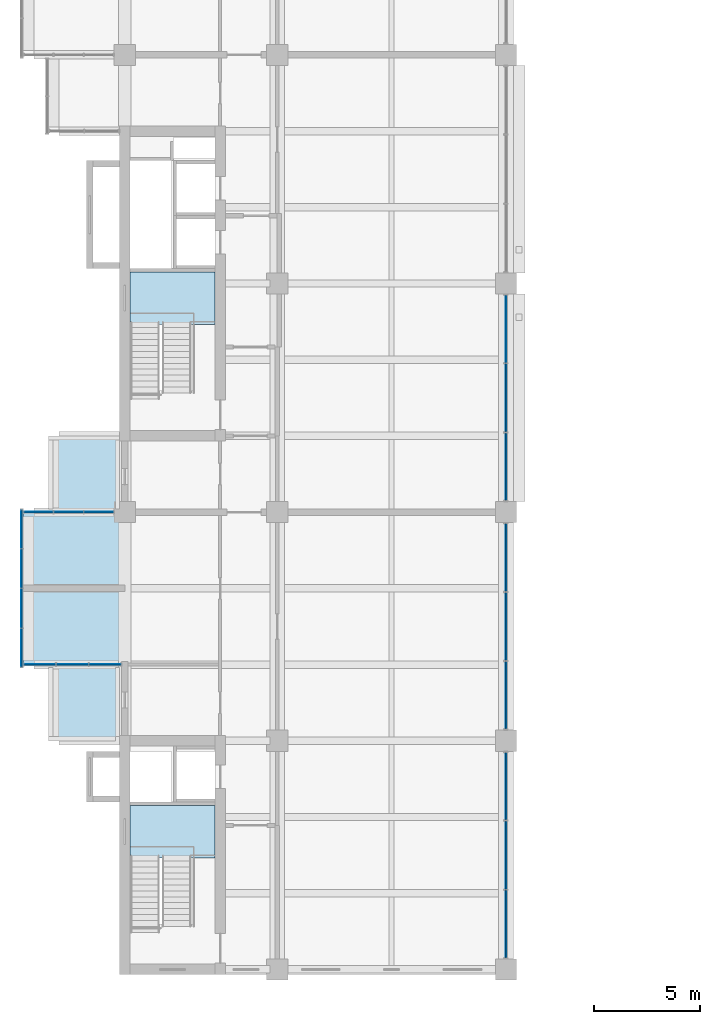
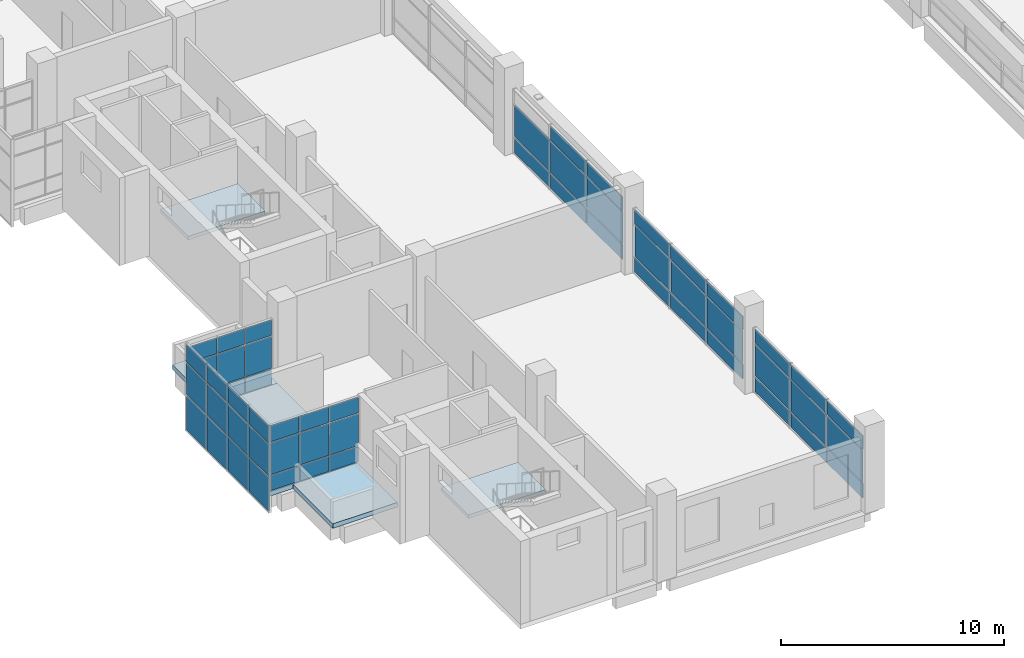
# One storey, part 29 of 44: 56 plates, 5 slabs, 8 elements without a shape of their own.
"""IFC4 building model written with IfcOpenShell, lengths in metres."""

from ifc_helpers import new_model, si_unit, direction, frame, origin, origin_2d, place, context, subcontext, project, spatial, polyline, rectangle, outline, extrude, material, layer, layer_set, type_object, element, aggregate, save


model = new_model("IFC4")

# Units and contexts
model_context = context("Model", 3, precision=1e-05, world=origin(), true_north=direction((0.0, 1.0)))
body_context = subcontext(model_context, "Body", "Model", "MODEL_VIEW")
ifc_project = project(units=[si_unit("LENGTHUNIT", "METRE"), si_unit("AREAUNIT", "SQUARE_METRE"), si_unit("VOLUMEUNIT", "CUBIC_METRE"), si_unit("PLANEANGLEUNIT", "RADIAN"), si_unit("MASSUNIT", "GRAM", prefix="KILO")], contexts=[model_context])

# Site, building, storey
site_placement = place(None, origin())
site = spatial("IfcSite", under=ifc_project, at=site_placement, CompositionType="ELEMENT")
building_placement = place(site_placement, origin())
building = spatial("IfcBuilding", under=site, at=building_placement, Name="Basin Gate Institute", CompositionType="ELEMENT")
storey_placement = place(building_placement, frame((0.0, 0.0, 27.0)))
storey = spatial("IfcBuildingStorey", under=building, at=storey_placement, Name="L05", CompositionType="ELEMENT", Elevation=27.0)

# Slabs
ifc_material_1 = material(Name="Concrete 40 MPa", Category="concrete")
ifc_layer_1 = layer(ifc_material_1, 0.25)
ifc_layer_set_1 = layer_set([ifc_layer_1], Name="Concrete 40 MPa")
slab_type_1 = type_object("IfcSlabType", Name="Slab RS4 R120", PredefinedType="ROOF", material=ifc_layer_set_1)
slab_1_placement = place(storey_placement, frame((0.0, 0.0, -0.25)))
element("IfcSlab", 1, at=slab_1_placement, inside=storey, type_object=slab_type_1, material=ifc_layer_set_1, Name="SLAB/L05/WK11", PredefinedType="ROOF", context=body_context, shape_type="SweptSolid", body=[
    extrude(outline(polyline([(57.60009765625, 45.89990234375), (60.949951171875, 45.89990234375), (60.949951171875, 49.5), (57.60009765625, 49.5), (57.60009765625, 45.89990234375)])), origin(), (0.0, 0.0, 1.0), 0.25),
])
slab_2_placement = place(storey_placement, frame((0.0, 0.0, -0.25)))
element("IfcSlab", 2, at=slab_2_placement, inside=storey, type_object=slab_type_1, material=ifc_layer_set_1, Name="SLAB/L05/WK14", PredefinedType="ROOF", context=body_context, shape_type="SweptSolid", body=[
    extrude(outline(polyline([(57.60009765625, 56.699951171875), (60.949951171875, 56.699951171875), (60.949951171875, 60.300048828125), (57.60009765625, 60.300048828125), (57.60009765625, 56.699951171875)])), origin(), (0.0, 0.0, 1.0), 0.25),
])
ifc_material_2 = material(Name="Concrete 40 MPa", Category="concrete")
ifc_layer_2 = layer(ifc_material_2, 0.25)
ifc_layer_set_2 = layer_set([ifc_layer_2], Name="Concrete 40 MPa")
slab_type_2 = type_object("IfcSlabType", Name="Slab SL4 R120", PredefinedType="FLOOR", material=ifc_layer_set_2)
slab_3_placement = place(storey_placement, frame((0.0, 0.0, -0.25)))
element("IfcSlab", 3, at=slab_3_placement, inside=storey, type_object=slab_type_2, material=ifc_layer_set_2, Name="SLAB/L05/WK12", PredefinedType="FLOOR", context=body_context, shape_type="SweptSolid", body=[
    extrude(outline(polyline([(60.949951171875, 49.5), (56.39990234375, 49.5), (56.39990234375, 56.699951171875), (60.949951171875, 56.699951171875), (60.949951171875, 49.5)])), origin(), (0.0, 0.0, 1.0), 0.25),
])

# Curtain wall, plates
ifc_material_3 = material(Name="Aluminium-framed glazing", Category="aluminium")
ifc_layer_3 = layer(ifc_material_3, 0.199951171875)
ifc_layer_set_3 = layer_set([ifc_layer_3], Name="Atrium curtain wall CW2")
curtain_wall_type_1 = type_object("IfcCurtainWallType", Name="Atrium curtain wall CW2", PredefinedType="NOTDEFINED", material=ifc_layer_set_3)
curtain_wall_1_placement = place(storey_placement, origin())
curtain_wall_1 = element("IfcCurtainWall", 4, at=curtain_wall_1_placement, inside=storey, type_object=curtain_wall_type_1, material=ifc_layer_set_3, Name="Atrium curtain wall W wing atrium bay 1 L05", PredefinedType="NOTDEFINED")
ifc_material_4 = material(Name="Aluminium insulated spandrel panel", Category="aluminium")
ifc_layer_4 = layer(ifc_material_4, 0.050048828125)
ifc_layer_set_4 = layer_set([ifc_layer_4], Name="Spandrel panel PN2")
plate_type_1 = type_object("IfcPlateType", Name="Spandrel panel PN2", PredefinedType="CURTAIN_PANEL", material=ifc_layer_set_4)
plate_1_placement = place(storey_placement, frame((79.199951171875, 37.248291015625, 0.06005859375), z_axis=(0.0, 0.0, 1.0), x_axis=(0.0, 1.0, 0.0)))
plate_1 = element("IfcPlate", 5, at=plate_1_placement, type_object=plate_type_1, material=ifc_layer_set_4, Name="CW2 spandrel panel 1.1", PredefinedType="CURTAIN_PANEL", context=body_context, shape_type="SweptSolid", body=[
    extrude(rectangle(XDim=3.1767578125, YDim=0.050048828125, at=origin_2d()), origin(), (0.0, 0.0, 1.0), 0.81005859375),
])
plate_2_placement = place(storey_placement, frame((79.199951171875, 37.248291015625, 2.72998046875), z_axis=(0.0, 0.0, 1.0), x_axis=(0.0, 1.0, 0.0)))
plate_2 = element("IfcPlate", 6, at=plate_2_placement, type_object=plate_type_1, material=ifc_layer_set_4, Name="CW2 spandrel panel 1.3", PredefinedType="CURTAIN_PANEL", context=body_context, shape_type="SweptSolid", body=[
    extrude(rectangle(XDim=3.1767578125, YDim=0.050048828125, at=origin_2d()), origin(), (0.0, 0.0, 1.0), 0.760009765625),
])
plate_3_placement = place(storey_placement, frame((79.199951171875, 40.5, 0.06005859375), z_axis=(0.0, 0.0, 1.0), x_axis=(0.0, 1.0, 0.0)))
plate_3 = element("IfcPlate", 7, at=plate_3_placement, type_object=plate_type_1, material=ifc_layer_set_4, Name="CW2 spandrel panel 2.1", PredefinedType="CURTAIN_PANEL", context=body_context, shape_type="SweptSolid", body=[
    extrude(rectangle(XDim=3.206787109375, YDim=0.050048828125, at=origin_2d()), origin(), (0.0, 0.0, 1.0), 0.81005859375),
])
plate_4_placement = place(storey_placement, frame((79.199951171875, 40.5, 2.72998046875), z_axis=(0.0, 0.0, 1.0), x_axis=(0.0, 1.0, 0.0)))
plate_4 = element("IfcPlate", 8, at=plate_4_placement, type_object=plate_type_1, material=ifc_layer_set_4, Name="CW2 spandrel panel 2.3", PredefinedType="CURTAIN_PANEL", context=body_context, shape_type="SweptSolid", body=[
    extrude(rectangle(XDim=3.206787109375, YDim=0.050048828125, at=origin_2d()), origin(), (0.0, 0.0, 1.0), 0.760009765625),
])
plate_5_placement = place(storey_placement, frame((79.199951171875, 43.751708984375, 0.06005859375), z_axis=(0.0, 0.0, 1.0), x_axis=(0.0, 1.0, 0.0)))
plate_5 = element("IfcPlate", 9, at=plate_5_placement, type_object=plate_type_1, material=ifc_layer_set_4, Name="CW2 spandrel panel 3.1", PredefinedType="CURTAIN_PANEL", context=body_context, shape_type="SweptSolid", body=[
    extrude(rectangle(XDim=3.1767578125, YDim=0.050048828125, at=origin_2d()), origin(), (0.0, 0.0, 1.0), 0.81005859375),
])
plate_6_placement = place(storey_placement, frame((79.199951171875, 43.751708984375, 2.72998046875), z_axis=(0.0, 0.0, 1.0), x_axis=(0.0, 1.0, 0.0)))
plate_6 = element("IfcPlate", 10, at=plate_6_placement, type_object=plate_type_1, material=ifc_layer_set_4, Name="CW2 spandrel panel 3.3", PredefinedType="CURTAIN_PANEL", context=body_context, shape_type="SweptSolid", body=[
    extrude(rectangle(XDim=3.1767578125, YDim=0.050048828125, at=origin_2d()), origin(), (0.0, 0.0, 1.0), 0.760009765625),
])

curtain_wall_2_placement = place(storey_placement, origin())
curtain_wall_2 = element("IfcCurtainWall", 11, at=curtain_wall_2_placement, inside=storey, type_object=curtain_wall_type_1, material=ifc_layer_set_3, Name="Atrium curtain wall W wing atrium bay 2 L05", PredefinedType="NOTDEFINED")
plate_7_placement = place(storey_placement, frame((79.199951171875, 48.04833984375, 0.06005859375), z_axis=(0.0, 0.0, 1.0), x_axis=(0.0, 1.0, 0.0)))
plate_7 = element("IfcPlate", 12, at=plate_7_placement, type_object=plate_type_1, material=ifc_layer_set_4, Name="CW2 spandrel panel 1.1", PredefinedType="CURTAIN_PANEL", context=body_context, shape_type="SweptSolid", body=[
    extrude(rectangle(XDim=3.1767578125, YDim=0.050048828125, at=origin_2d()), origin(), (0.0, 0.0, 1.0), 0.81005859375),
])
plate_8_placement = place(storey_placement, frame((79.199951171875, 48.04833984375, 2.72998046875), z_axis=(0.0, 0.0, 1.0), x_axis=(0.0, 1.0, 0.0)))
plate_8 = element("IfcPlate", 13, at=plate_8_placement, type_object=plate_type_1, material=ifc_layer_set_4, Name="CW2 spandrel panel 1.3", PredefinedType="CURTAIN_PANEL", context=body_context, shape_type="SweptSolid", body=[
    extrude(rectangle(XDim=3.1767578125, YDim=0.050048828125, at=origin_2d()), origin(), (0.0, 0.0, 1.0), 0.760009765625),
])
plate_9_placement = place(storey_placement, frame((79.199951171875, 51.300048828125, 0.06005859375), z_axis=(0.0, 0.0, 1.0), x_axis=(0.0, 1.0, 0.0)))
plate_9 = element("IfcPlate", 14, at=plate_9_placement, type_object=plate_type_1, material=ifc_layer_set_4, Name="CW2 spandrel panel 2.1", PredefinedType="CURTAIN_PANEL", context=body_context, shape_type="SweptSolid", body=[
    extrude(rectangle(XDim=3.206787109375, YDim=0.050048828125, at=origin_2d()), origin(), (0.0, 0.0, 1.0), 0.81005859375),
])
plate_10_placement = place(storey_placement, frame((79.199951171875, 51.300048828125, 2.72998046875), z_axis=(0.0, 0.0, 1.0), x_axis=(0.0, 1.0, 0.0)))
plate_10 = element("IfcPlate", 15, at=plate_10_placement, type_object=plate_type_1, material=ifc_layer_set_4, Name="CW2 spandrel panel 2.3", PredefinedType="CURTAIN_PANEL", context=body_context, shape_type="SweptSolid", body=[
    extrude(rectangle(XDim=3.206787109375, YDim=0.050048828125, at=origin_2d()), origin(), (0.0, 0.0, 1.0), 0.760009765625),
])
plate_11_placement = place(storey_placement, frame((79.199951171875, 54.5517578125, 0.06005859375), z_axis=(0.0, 0.0, 1.0), x_axis=(0.0, 1.0, 0.0)))
plate_11 = element("IfcPlate", 16, at=plate_11_placement, type_object=plate_type_1, material=ifc_layer_set_4, Name="CW2 spandrel panel 3.1", PredefinedType="CURTAIN_PANEL", context=body_context, shape_type="SweptSolid", body=[
    extrude(rectangle(XDim=3.1767578125, YDim=0.050048828125, at=origin_2d()), origin(), (0.0, 0.0, 1.0), 0.81005859375),
])
plate_12_placement = place(storey_placement, frame((79.199951171875, 54.5517578125, 2.72998046875), z_axis=(0.0, 0.0, 1.0), x_axis=(0.0, 1.0, 0.0)))
plate_12 = element("IfcPlate", 17, at=plate_12_placement, type_object=plate_type_1, material=ifc_layer_set_4, Name="CW2 spandrel panel 3.3", PredefinedType="CURTAIN_PANEL", context=body_context, shape_type="SweptSolid", body=[
    extrude(rectangle(XDim=3.1767578125, YDim=0.050048828125, at=origin_2d()), origin(), (0.0, 0.0, 1.0), 0.760009765625),
])

curtain_wall_3_placement = place(storey_placement, origin())
curtain_wall_3 = element("IfcCurtainWall", 18, at=curtain_wall_3_placement, inside=storey, type_object=curtain_wall_type_1, material=ifc_layer_set_3, Name="Atrium curtain wall W wing atrium bay 3 L05", PredefinedType="NOTDEFINED")
plate_13_placement = place(storey_placement, frame((79.199951171875, 58.848388671875, 0.06005859375), z_axis=(0.0, 0.0, 1.0), x_axis=(0.0, 1.0, 0.0)))
plate_13 = element("IfcPlate", 19, at=plate_13_placement, type_object=plate_type_1, material=ifc_layer_set_4, Name="CW2 spandrel panel 1.1", PredefinedType="CURTAIN_PANEL", context=body_context, shape_type="SweptSolid", body=[
    extrude(rectangle(XDim=3.1767578125, YDim=0.050048828125, at=origin_2d()), origin(), (0.0, 0.0, 1.0), 0.81005859375),
])
plate_14_placement = place(storey_placement, frame((79.199951171875, 58.848388671875, 2.72998046875), z_axis=(0.0, 0.0, 1.0), x_axis=(0.0, 1.0, 0.0)))
plate_14 = element("IfcPlate", 20, at=plate_14_placement, type_object=plate_type_1, material=ifc_layer_set_4, Name="CW2 spandrel panel 1.3", PredefinedType="CURTAIN_PANEL", context=body_context, shape_type="SweptSolid", body=[
    extrude(rectangle(XDim=3.1767578125, YDim=0.050048828125, at=origin_2d()), origin(), (0.0, 0.0, 1.0), 0.760009765625),
])
plate_15_placement = place(storey_placement, frame((79.199951171875, 62.10009765625, 0.06005859375), z_axis=(0.0, 0.0, 1.0), x_axis=(0.0, 1.0, 0.0)))
plate_15 = element("IfcPlate", 21, at=plate_15_placement, type_object=plate_type_1, material=ifc_layer_set_4, Name="CW2 spandrel panel 2.1", PredefinedType="CURTAIN_PANEL", context=body_context, shape_type="SweptSolid", body=[
    extrude(rectangle(XDim=3.206787109375, YDim=0.050048828125, at=origin_2d()), origin(), (0.0, 0.0, 1.0), 0.81005859375),
])
plate_16_placement = place(storey_placement, frame((79.199951171875, 62.10009765625, 2.72998046875), z_axis=(0.0, 0.0, 1.0), x_axis=(0.0, 1.0, 0.0)))
plate_16 = element("IfcPlate", 22, at=plate_16_placement, type_object=plate_type_1, material=ifc_layer_set_4, Name="CW2 spandrel panel 2.3", PredefinedType="CURTAIN_PANEL", context=body_context, shape_type="SweptSolid", body=[
    extrude(rectangle(XDim=3.206787109375, YDim=0.050048828125, at=origin_2d()), origin(), (0.0, 0.0, 1.0), 0.760009765625),
])
plate_17_placement = place(storey_placement, frame((79.199951171875, 65.3515625, 0.06005859375), z_axis=(0.0, 0.0, 1.0), x_axis=(0.0, 1.0, 0.0)))
plate_17 = element("IfcPlate", 23, at=plate_17_placement, type_object=plate_type_1, material=ifc_layer_set_4, Name="CW2 spandrel panel 3.1", PredefinedType="CURTAIN_PANEL", context=body_context, shape_type="SweptSolid", body=[
    extrude(rectangle(XDim=3.1767578125, YDim=0.050048828125, at=origin_2d()), origin(), (0.0, 0.0, 1.0), 0.81005859375),
])

ifc_material_5 = material(Name="Aluminium-framed glazing", Category="aluminium")
ifc_layer_5 = layer(ifc_material_5, 0.14990234375)
ifc_layer_set_5 = layer_set([ifc_layer_5], Name="Capsule front curtain wall CW1")
curtain_wall_type_2 = type_object("IfcCurtainWallType", Name="Capsule front curtain wall CW1", PredefinedType="NOTDEFINED", material=ifc_layer_set_5)
curtain_wall_4_placement = place(storey_placement, origin())
curtain_wall_4 = element("IfcCurtainWall", 24, at=curtain_wall_4_placement, inside=storey, type_object=curtain_wall_type_2, material=ifc_layer_set_5, Name="Capsule front curtain wall W wing capsule end L05 line 5", PredefinedType="NOTDEFINED")
plate_18_placement = place(storey_placement, frame((57.1875, 49.5, 0.06005859375), z_axis=(0.0, 0.0, 1.0), x_axis=(1.0, 0.0, 0.0)))
plate_18 = element("IfcPlate", 25, at=plate_18_placement, type_object=plate_type_1, material=ifc_layer_set_4, Name="CW1 spandrel panel 1.1", PredefinedType="CURTAIN_PANEL", context=body_context, shape_type="SweptSolid", body=[
    extrude(rectangle(XDim=1.47509765625, YDim=0.050048828125, at=origin_2d()), origin(), (0.0, 0.0, 1.0), 0.81005859375),
])
plate_19_placement = place(storey_placement, frame((58.72509765625, 49.5, 0.06005859375), z_axis=(0.0, 0.0, 1.0), x_axis=(1.0, 0.0, 0.0)))
plate_19 = element("IfcPlate", 26, at=plate_19_placement, type_object=plate_type_1, material=ifc_layer_set_4, Name="CW1 spandrel panel 2.1", PredefinedType="CURTAIN_PANEL", context=body_context, shape_type="SweptSolid", body=[
    extrude(rectangle(XDim=1.5, YDim=0.050048828125, at=origin_2d()), origin(), (0.0, 0.0, 1.0), 0.81005859375),
])
plate_20_placement = place(storey_placement, frame((60.262451171875, 49.5, 0.06005859375), z_axis=(0.0, 0.0, 1.0), x_axis=(1.0, 0.0, 0.0)))
plate_20 = element("IfcPlate", 27, at=plate_20_placement, type_object=plate_type_1, material=ifc_layer_set_4, Name="CW1 spandrel panel 3.1", PredefinedType="CURTAIN_PANEL", context=body_context, shape_type="SweptSolid", body=[
    extrude(rectangle(XDim=1.47509765625, YDim=0.050048828125, at=origin_2d()), origin(), (0.0, 0.0, 1.0), 0.81005859375),
])

curtain_wall_5_placement = place(storey_placement, origin())
curtain_wall_5 = element("IfcCurtainWall", 28, at=curtain_wall_5_placement, inside=storey, type_object=curtain_wall_type_2, material=ifc_layer_set_5, Name="Capsule front curtain wall W wing capsule end L05 line 7", PredefinedType="NOTDEFINED")
plate_21_placement = place(storey_placement, frame((57.129150390625, 56.699951171875, 0.06005859375), z_axis=(0.0, 0.0, 1.0), x_axis=(1.0, 0.0, 0.0)))
plate_21 = element("IfcPlate", 29, at=plate_21_placement, type_object=plate_type_1, material=ifc_layer_set_4, Name="CW1 spandrel panel 1.1", PredefinedType="CURTAIN_PANEL", context=body_context, shape_type="SweptSolid", body=[
    extrude(rectangle(XDim=1.3583984375, YDim=0.050048828125, at=origin_2d()), origin(), (0.0, 0.0, 1.0), 0.81005859375),
])
plate_22_placement = place(storey_placement, frame((58.550048828125, 56.699951171875, 0.06005859375), z_axis=(0.0, 0.0, 1.0), x_axis=(1.0, 0.0, 0.0)))
plate_22 = element("IfcPlate", 30, at=plate_22_placement, type_object=plate_type_1, material=ifc_layer_set_4, Name="CW1 spandrel panel 2.1", PredefinedType="CURTAIN_PANEL", context=body_context, shape_type="SweptSolid", body=[
    extrude(rectangle(XDim=1.38330078125, YDim=0.050048828125, at=origin_2d()), origin(), (0.0, 0.0, 1.0), 0.81005859375),
])
plate_23_placement = place(storey_placement, frame((59.970947265625, 56.699951171875, 0.06005859375), z_axis=(0.0, 0.0, 1.0), x_axis=(1.0, 0.0, 0.0)))
plate_23 = element("IfcPlate", 31, at=plate_23_placement, type_object=plate_type_1, material=ifc_layer_set_4, Name="CW1 spandrel panel 3.1", PredefinedType="CURTAIN_PANEL", context=body_context, shape_type="SweptSolid", body=[
    extrude(rectangle(XDim=1.3583984375, YDim=0.050048828125, at=origin_2d()), origin(), (0.0, 0.0, 1.0), 0.81005859375),
])

curtain_wall_6_placement = place(storey_placement, origin())
curtain_wall_6 = element("IfcCurtainWall", 32, at=curtain_wall_6_placement, inside=storey, type_object=curtain_wall_type_2, material=ifc_layer_set_5, Name="Capsule front curtain wall W wing capsule 1 L05 front 2", PredefinedType="NOTDEFINED")
plate_24_placement = place(storey_placement, frame((56.324951171875, 50.300048828125, -0.990234375), z_axis=(0.0, 0.0, 1.0), x_axis=(0.0, 1.0, 0.0)))
plate_24 = element("IfcPlate", 33, at=plate_24_placement, type_object=plate_type_1, material=ifc_layer_set_4, Name="CW1 spandrel panel 1.1", PredefinedType="CURTAIN_PANEL", context=body_context, shape_type="SweptSolid", body=[
    extrude(rectangle(XDim=1.800048828125, YDim=0.050048828125, at=origin_2d()), origin(), (0.0, 0.0, 1.0), 1.860107421875),
])
plate_25_placement = place(storey_placement, frame((56.324951171875, 52.16259765625, -0.990234375), z_axis=(0.0, 0.0, 1.0), x_axis=(0.0, 1.0, 0.0)))
plate_25 = element("IfcPlate", 34, at=plate_25_placement, type_object=plate_type_1, material=ifc_layer_set_4, Name="CW1 spandrel panel 2.1", PredefinedType="CURTAIN_PANEL", context=body_context, shape_type="SweptSolid", body=[
    extrude(rectangle(XDim=1.824951171875, YDim=0.050048828125, at=origin_2d()), origin(), (0.0, 0.0, 1.0), 1.860107421875),
])
plate_26_placement = place(storey_placement, frame((56.324951171875, 54.03759765625, -0.990234375), z_axis=(0.0, 0.0, 1.0), x_axis=(0.0, 1.0, 0.0)))
plate_26 = element("IfcPlate", 35, at=plate_26_placement, type_object=plate_type_1, material=ifc_layer_set_4, Name="CW1 spandrel panel 3.1", PredefinedType="CURTAIN_PANEL", context=body_context, shape_type="SweptSolid", body=[
    extrude(rectangle(XDim=1.824951171875, YDim=0.050048828125, at=origin_2d()), origin(), (0.0, 0.0, 1.0), 1.860107421875),
])
plate_27_placement = place(storey_placement, frame((56.324951171875, 55.89990234375, -0.990234375), z_axis=(0.0, 0.0, 1.0), x_axis=(0.0, 1.0, 0.0)))
plate_27 = element("IfcPlate", 36, at=plate_27_placement, type_object=plate_type_1, material=ifc_layer_set_4, Name="CW1 spandrel panel 4.1", PredefinedType="CURTAIN_PANEL", context=body_context, shape_type="SweptSolid", body=[
    extrude(rectangle(XDim=1.800048828125, YDim=0.050048828125, at=origin_2d()), origin(), (0.0, 0.0, 1.0), 1.860107421875),
])

# Stair, slab
ifc_material_6 = material(Name="Concrete 40 MPa", Category="concrete")
stair_type = type_object("IfcStairType", Name="Stair ST", PredefinedType="HALF_TURN_STAIR", material=ifc_material_6)
stair_1_placement = place(storey_placement, origin())
stair_1 = element("IfcStair", 37, at=stair_1_placement, inside=storey, type_object=stair_type, material=ifc_material_6, Name="Special safe stair ST-WS L05", PredefinedType="HALF_TURN_STAIR")
ifc_material_7 = material(Name="Concrete 40 MPa", Category="concrete")
ifc_layer_6 = layer(ifc_material_7, 0.199951171875)
ifc_layer_set_6 = layer_set([ifc_layer_6], Name="Concrete 40 MPa")
slab_type_3 = type_object("IfcSlabType", Name="Stair landing LN REI 120", PredefinedType="LANDING", material=ifc_layer_set_6)
slab_4_placement = place(storey_placement, frame((0.0, 0.0, 2.288818359375)))
slab_4 = element("IfcSlab", 38, at=slab_4_placement, type_object=slab_type_3, material=ifc_layer_set_6, Name="Stair landing ST-WS-L1 L05", PredefinedType="LANDING", context=body_context, shape_type="SweptSolid", body=[
    extrude(outline(polyline([(61.449951171875, 40.3701171875), (65.449951171875, 40.3701171875), (65.449951171875, 42.85009765625), (61.449951171875, 42.85009765625), (61.449951171875, 40.3701171875)])), origin(), (0.0, 0.0, 1.0), 0.199951171875),
])
aggregate(stair_1, [slab_4])

stair_2_placement = place(storey_placement, origin())
stair_2 = element("IfcStair", 39, at=stair_2_placement, inside=storey, type_object=stair_type, material=ifc_material_6, Name="Special safe stair ST-WM L05", PredefinedType="HALF_TURN_STAIR")
slab_5_placement = place(storey_placement, frame((0.0, 0.0, 2.288818359375)))
slab_5 = element("IfcSlab", 40, at=slab_5_placement, type_object=slab_type_3, material=ifc_layer_set_6, Name="Stair landing ST-WM-L1 L05", PredefinedType="LANDING", context=body_context, shape_type="SweptSolid", body=[
    extrude(outline(polyline([(61.449951171875, 65.570068359375), (65.449951171875, 65.570068359375), (65.449951171875, 68.050048828125), (61.449951171875, 68.050048828125), (61.449951171875, 65.570068359375)])), origin(), (0.0, 0.0, 1.0), 0.199951171875),
])
aggregate(stair_2, [slab_5])

# Plate
ifc_material_8 = material(Name="Double glazed unit")
ifc_layer_7 = layer(ifc_material_8, 0.028076171875)
ifc_layer_set_7 = layer_set([ifc_layer_7], Name="Vision panel PN1")
plate_type_2 = type_object("IfcPlateType", Name="Vision panel PN1", PredefinedType="CURTAIN_PANEL", material=ifc_layer_set_7)
plate_28_placement = place(storey_placement, frame((79.199951171875, 37.248291015625, 0.93017578125), z_axis=(0.0, 0.0, 1.0), x_axis=(0.0, 1.0, 0.0)))
plate_28 = element("IfcPlate", 41, at=plate_28_placement, type_object=plate_type_2, material=ifc_layer_set_7, Name="CW2 vision panel 1.2", PredefinedType="CURTAIN_PANEL", context=body_context, shape_type="SweptSolid", body=[
    extrude(rectangle(XDim=3.1767578125, YDim=0.028076171875, at=origin_2d()), origin(), (0.0, 0.0, 1.0), 1.739990234375),
])

plate_29_placement = place(storey_placement, frame((79.199951171875, 40.5, 0.93017578125), z_axis=(0.0, 0.0, 1.0), x_axis=(0.0, 1.0, 0.0)))
plate_29 = element("IfcPlate", 42, at=plate_29_placement, type_object=plate_type_2, material=ifc_layer_set_7, Name="CW2 vision panel 2.2", PredefinedType="CURTAIN_PANEL", context=body_context, shape_type="SweptSolid", body=[
    extrude(rectangle(XDim=3.206787109375, YDim=0.028076171875, at=origin_2d()), origin(), (0.0, 0.0, 1.0), 1.739990234375),
])

plate_30_placement = place(storey_placement, frame((79.199951171875, 43.751708984375, 0.93017578125), z_axis=(0.0, 0.0, 1.0), x_axis=(0.0, 1.0, 0.0)))
plate_30 = element("IfcPlate", 43, at=plate_30_placement, type_object=plate_type_2, material=ifc_layer_set_7, Name="CW2 vision panel 3.2", PredefinedType="CURTAIN_PANEL", context=body_context, shape_type="SweptSolid", body=[
    extrude(rectangle(XDim=3.1767578125, YDim=0.028076171875, at=origin_2d()), origin(), (0.0, 0.0, 1.0), 1.739990234375),
])

aggregate(curtain_wall_1, [plate_1, plate_28, plate_2, plate_3, plate_29, plate_4, plate_5, plate_30, plate_6])

plate_31_placement = place(storey_placement, frame((79.199951171875, 48.04833984375, 0.93017578125), z_axis=(0.0, 0.0, 1.0), x_axis=(0.0, 1.0, 0.0)))
plate_31 = element("IfcPlate", 44, at=plate_31_placement, type_object=plate_type_2, material=ifc_layer_set_7, Name="CW2 vision panel 1.2", PredefinedType="CURTAIN_PANEL", context=body_context, shape_type="SweptSolid", body=[
    extrude(rectangle(XDim=3.1767578125, YDim=0.028076171875, at=origin_2d()), origin(), (0.0, 0.0, 1.0), 1.739990234375),
])

plate_32_placement = place(storey_placement, frame((79.199951171875, 51.300048828125, 0.93017578125), z_axis=(0.0, 0.0, 1.0), x_axis=(0.0, 1.0, 0.0)))
plate_32 = element("IfcPlate", 45, at=plate_32_placement, type_object=plate_type_2, material=ifc_layer_set_7, Name="CW2 vision panel 2.2", PredefinedType="CURTAIN_PANEL", context=body_context, shape_type="SweptSolid", body=[
    extrude(rectangle(XDim=3.206787109375, YDim=0.028076171875, at=origin_2d()), origin(), (0.0, 0.0, 1.0), 1.739990234375),
])

plate_33_placement = place(storey_placement, frame((79.199951171875, 54.5517578125, 0.93017578125), z_axis=(0.0, 0.0, 1.0), x_axis=(0.0, 1.0, 0.0)))
plate_33 = element("IfcPlate", 46, at=plate_33_placement, type_object=plate_type_2, material=ifc_layer_set_7, Name="CW2 vision panel 3.2", PredefinedType="CURTAIN_PANEL", context=body_context, shape_type="SweptSolid", body=[
    extrude(rectangle(XDim=3.1767578125, YDim=0.028076171875, at=origin_2d()), origin(), (0.0, 0.0, 1.0), 1.739990234375),
])

aggregate(curtain_wall_2, [plate_7, plate_31, plate_8, plate_9, plate_32, plate_10, plate_11, plate_33, plate_12])

plate_34_placement = place(storey_placement, frame((79.199951171875, 58.848388671875, 0.93017578125), z_axis=(0.0, 0.0, 1.0), x_axis=(0.0, 1.0, 0.0)))
plate_34 = element("IfcPlate", 47, at=plate_34_placement, type_object=plate_type_2, material=ifc_layer_set_7, Name="CW2 vision panel 1.2", PredefinedType="CURTAIN_PANEL", context=body_context, shape_type="SweptSolid", body=[
    extrude(rectangle(XDim=3.1767578125, YDim=0.028076171875, at=origin_2d()), origin(), (0.0, 0.0, 1.0), 1.739990234375),
])

plate_35_placement = place(storey_placement, frame((79.199951171875, 62.10009765625, 0.93017578125), z_axis=(0.0, 0.0, 1.0), x_axis=(0.0, 1.0, 0.0)))
plate_35 = element("IfcPlate", 48, at=plate_35_placement, type_object=plate_type_2, material=ifc_layer_set_7, Name="CW2 vision panel 2.2", PredefinedType="CURTAIN_PANEL", context=body_context, shape_type="SweptSolid", body=[
    extrude(rectangle(XDim=3.206787109375, YDim=0.028076171875, at=origin_2d()), origin(), (0.0, 0.0, 1.0), 1.739990234375),
])

plate_36_placement = place(storey_placement, frame((79.199951171875, 65.3515625, 0.93017578125), z_axis=(0.0, 0.0, 1.0), x_axis=(0.0, 1.0, 0.0)))
plate_36 = element("IfcPlate", 49, at=plate_36_placement, type_object=plate_type_2, material=ifc_layer_set_7, Name="CW2 vision panel 3.2", PredefinedType="CURTAIN_PANEL", context=body_context, shape_type="SweptSolid", body=[
    extrude(rectangle(XDim=3.1767578125, YDim=0.028076171875, at=origin_2d()), origin(), (0.0, 0.0, 1.0), 1.739990234375),
])

aggregate(curtain_wall_3, [plate_13, plate_34, plate_14, plate_15, plate_35, plate_16, plate_17, plate_36])

plate_37_placement = place(storey_placement, frame((57.1875, 49.5, 0.93017578125), z_axis=(0.0, 0.0, 1.0), x_axis=(1.0, 0.0, 0.0)))
plate_37 = element("IfcPlate", 50, at=plate_37_placement, type_object=plate_type_2, material=ifc_layer_set_7, Name="CW1 vision panel 1.2", PredefinedType="CURTAIN_PANEL", context=body_context, shape_type="SweptSolid", body=[
    extrude(rectangle(XDim=1.47509765625, YDim=0.028076171875, at=origin_2d()), origin(), (0.0, 0.0, 1.0), 1.739990234375),
])

plate_38_placement = place(storey_placement, frame((57.1875, 49.5, 2.72998046875), z_axis=(0.0, 0.0, 1.0), x_axis=(1.0, 0.0, 0.0)))
plate_38 = element("IfcPlate", 51, at=plate_38_placement, type_object=plate_type_2, material=ifc_layer_set_7, Name="CW1 vision panel 1.3", PredefinedType="CURTAIN_PANEL", context=body_context, shape_type="SweptSolid", body=[
    extrude(rectangle(XDim=1.47509765625, YDim=0.028076171875, at=origin_2d()), origin(), (0.0, 0.0, 1.0), 0.860107421875),
])

plate_39_placement = place(storey_placement, frame((58.72509765625, 49.5, 0.93017578125), z_axis=(0.0, 0.0, 1.0), x_axis=(1.0, 0.0, 0.0)))
plate_39 = element("IfcPlate", 52, at=plate_39_placement, type_object=plate_type_2, material=ifc_layer_set_7, Name="CW1 vision panel 2.2", PredefinedType="CURTAIN_PANEL", context=body_context, shape_type="SweptSolid", body=[
    extrude(rectangle(XDim=1.5, YDim=0.028076171875, at=origin_2d()), origin(), (0.0, 0.0, 1.0), 1.739990234375),
])

plate_40_placement = place(storey_placement, frame((58.72509765625, 49.5, 2.72998046875), z_axis=(0.0, 0.0, 1.0), x_axis=(1.0, 0.0, 0.0)))
plate_40 = element("IfcPlate", 53, at=plate_40_placement, type_object=plate_type_2, material=ifc_layer_set_7, Name="CW1 vision panel 2.3", PredefinedType="CURTAIN_PANEL", context=body_context, shape_type="SweptSolid", body=[
    extrude(rectangle(XDim=1.5, YDim=0.028076171875, at=origin_2d()), origin(), (0.0, 0.0, 1.0), 0.860107421875),
])

plate_41_placement = place(storey_placement, frame((60.262451171875, 49.5, 0.93017578125), z_axis=(0.0, 0.0, 1.0), x_axis=(1.0, 0.0, 0.0)))
plate_41 = element("IfcPlate", 54, at=plate_41_placement, type_object=plate_type_2, material=ifc_layer_set_7, Name="CW1 vision panel 3.2", PredefinedType="CURTAIN_PANEL", context=body_context, shape_type="SweptSolid", body=[
    extrude(rectangle(XDim=1.47509765625, YDim=0.028076171875, at=origin_2d()), origin(), (0.0, 0.0, 1.0), 1.739990234375),
])

plate_42_placement = place(storey_placement, frame((60.262451171875, 49.5, 2.72998046875), z_axis=(0.0, 0.0, 1.0), x_axis=(1.0, 0.0, 0.0)))
plate_42 = element("IfcPlate", 55, at=plate_42_placement, type_object=plate_type_2, material=ifc_layer_set_7, Name="CW1 vision panel 3.3", PredefinedType="CURTAIN_PANEL", context=body_context, shape_type="SweptSolid", body=[
    extrude(rectangle(XDim=1.47509765625, YDim=0.028076171875, at=origin_2d()), origin(), (0.0, 0.0, 1.0), 0.860107421875),
])

aggregate(curtain_wall_4, [plate_18, plate_37, plate_38, plate_19, plate_39, plate_40, plate_20, plate_41, plate_42])

plate_43_placement = place(storey_placement, frame((57.129150390625, 56.699951171875, 0.93017578125), z_axis=(0.0, 0.0, 1.0), x_axis=(1.0, 0.0, 0.0)))
plate_43 = element("IfcPlate", 56, at=plate_43_placement, type_object=plate_type_2, material=ifc_layer_set_7, Name="CW1 vision panel 1.2", PredefinedType="CURTAIN_PANEL", context=body_context, shape_type="SweptSolid", body=[
    extrude(rectangle(XDim=1.3583984375, YDim=0.028076171875, at=origin_2d()), origin(), (0.0, 0.0, 1.0), 1.739990234375),
])

plate_44_placement = place(storey_placement, frame((57.129150390625, 56.699951171875, 2.72998046875), z_axis=(0.0, 0.0, 1.0), x_axis=(1.0, 0.0, 0.0)))
plate_44 = element("IfcPlate", 57, at=plate_44_placement, type_object=plate_type_2, material=ifc_layer_set_7, Name="CW1 vision panel 1.3", PredefinedType="CURTAIN_PANEL", context=body_context, shape_type="SweptSolid", body=[
    extrude(rectangle(XDim=1.3583984375, YDim=0.028076171875, at=origin_2d()), origin(), (0.0, 0.0, 1.0), 0.860107421875),
])

plate_45_placement = place(storey_placement, frame((58.550048828125, 56.699951171875, 0.93017578125), z_axis=(0.0, 0.0, 1.0), x_axis=(1.0, 0.0, 0.0)))
plate_45 = element("IfcPlate", 58, at=plate_45_placement, type_object=plate_type_2, material=ifc_layer_set_7, Name="CW1 vision panel 2.2", PredefinedType="CURTAIN_PANEL", context=body_context, shape_type="SweptSolid", body=[
    extrude(rectangle(XDim=1.38330078125, YDim=0.028076171875, at=origin_2d()), origin(), (0.0, 0.0, 1.0), 1.739990234375),
])

plate_46_placement = place(storey_placement, frame((58.550048828125, 56.699951171875, 2.72998046875), z_axis=(0.0, 0.0, 1.0), x_axis=(1.0, 0.0, 0.0)))
plate_46 = element("IfcPlate", 59, at=plate_46_placement, type_object=plate_type_2, material=ifc_layer_set_7, Name="CW1 vision panel 2.3", PredefinedType="CURTAIN_PANEL", context=body_context, shape_type="SweptSolid", body=[
    extrude(rectangle(XDim=1.38330078125, YDim=0.028076171875, at=origin_2d()), origin(), (0.0, 0.0, 1.0), 0.860107421875),
])

plate_47_placement = place(storey_placement, frame((59.970947265625, 56.699951171875, 0.93017578125), z_axis=(0.0, 0.0, 1.0), x_axis=(1.0, 0.0, 0.0)))
plate_47 = element("IfcPlate", 60, at=plate_47_placement, type_object=plate_type_2, material=ifc_layer_set_7, Name="CW1 vision panel 3.2", PredefinedType="CURTAIN_PANEL", context=body_context, shape_type="SweptSolid", body=[
    extrude(rectangle(XDim=1.3583984375, YDim=0.028076171875, at=origin_2d()), origin(), (0.0, 0.0, 1.0), 1.739990234375),
])

plate_48_placement = place(storey_placement, frame((59.970947265625, 56.699951171875, 2.72998046875), z_axis=(0.0, 0.0, 1.0), x_axis=(1.0, 0.0, 0.0)))
plate_48 = element("IfcPlate", 61, at=plate_48_placement, type_object=plate_type_2, material=ifc_layer_set_7, Name="CW1 vision panel 3.3", PredefinedType="CURTAIN_PANEL", context=body_context, shape_type="SweptSolid", body=[
    extrude(rectangle(XDim=1.3583984375, YDim=0.028076171875, at=origin_2d()), origin(), (0.0, 0.0, 1.0), 0.860107421875),
])

aggregate(curtain_wall_5, [plate_21, plate_43, plate_44, plate_22, plate_45, plate_46, plate_23, plate_47, plate_48])

plate_49_placement = place(storey_placement, frame((56.324951171875, 50.300048828125, 0.93017578125), z_axis=(0.0, 0.0, 1.0), x_axis=(0.0, 1.0, 0.0)))
plate_49 = element("IfcPlate", 62, at=plate_49_placement, type_object=plate_type_2, material=ifc_layer_set_7, Name="CW1 vision panel 1.2", PredefinedType="CURTAIN_PANEL", context=body_context, shape_type="SweptSolid", body=[
    extrude(rectangle(XDim=1.800048828125, YDim=0.028076171875, at=origin_2d()), origin(), (0.0, 0.0, 1.0), 1.739990234375),
])

plate_50_placement = place(storey_placement, frame((56.324951171875, 50.300048828125, 2.72998046875), z_axis=(0.0, 0.0, 1.0), x_axis=(0.0, 1.0, 0.0)))
plate_50 = element("IfcPlate", 63, at=plate_50_placement, type_object=plate_type_2, material=ifc_layer_set_7, Name="CW1 vision panel 1.3", PredefinedType="CURTAIN_PANEL", context=body_context, shape_type="SweptSolid", body=[
    extrude(rectangle(XDim=1.800048828125, YDim=0.028076171875, at=origin_2d()), origin(), (0.0, 0.0, 1.0), 0.9599609375),
])

plate_51_placement = place(storey_placement, frame((56.324951171875, 52.16259765625, 0.93017578125), z_axis=(0.0, 0.0, 1.0), x_axis=(0.0, 1.0, 0.0)))
plate_51 = element("IfcPlate", 64, at=plate_51_placement, type_object=plate_type_2, material=ifc_layer_set_7, Name="CW1 vision panel 2.2", PredefinedType="CURTAIN_PANEL", context=body_context, shape_type="SweptSolid", body=[
    extrude(rectangle(XDim=1.824951171875, YDim=0.028076171875, at=origin_2d()), origin(), (0.0, 0.0, 1.0), 1.739990234375),
])

plate_52_placement = place(storey_placement, frame((56.324951171875, 52.16259765625, 2.72998046875), z_axis=(0.0, 0.0, 1.0), x_axis=(0.0, 1.0, 0.0)))
plate_52 = element("IfcPlate", 65, at=plate_52_placement, type_object=plate_type_2, material=ifc_layer_set_7, Name="CW1 vision panel 2.3", PredefinedType="CURTAIN_PANEL", context=body_context, shape_type="SweptSolid", body=[
    extrude(rectangle(XDim=1.824951171875, YDim=0.028076171875, at=origin_2d()), origin(), (0.0, 0.0, 1.0), 0.9599609375),
])

plate_53_placement = place(storey_placement, frame((56.324951171875, 54.03759765625, 0.93017578125), z_axis=(0.0, 0.0, 1.0), x_axis=(0.0, 1.0, 0.0)))
plate_53 = element("IfcPlate", 66, at=plate_53_placement, type_object=plate_type_2, material=ifc_layer_set_7, Name="CW1 vision panel 3.2", PredefinedType="CURTAIN_PANEL", context=body_context, shape_type="SweptSolid", body=[
    extrude(rectangle(XDim=1.824951171875, YDim=0.028076171875, at=origin_2d()), origin(), (0.0, 0.0, 1.0), 1.739990234375),
])

plate_54_placement = place(storey_placement, frame((56.324951171875, 54.03759765625, 2.72998046875), z_axis=(0.0, 0.0, 1.0), x_axis=(0.0, 1.0, 0.0)))
plate_54 = element("IfcPlate", 67, at=plate_54_placement, type_object=plate_type_2, material=ifc_layer_set_7, Name="CW1 vision panel 3.3", PredefinedType="CURTAIN_PANEL", context=body_context, shape_type="SweptSolid", body=[
    extrude(rectangle(XDim=1.824951171875, YDim=0.028076171875, at=origin_2d()), origin(), (0.0, 0.0, 1.0), 0.9599609375),
])

plate_55_placement = place(storey_placement, frame((56.324951171875, 55.89990234375, 0.93017578125), z_axis=(0.0, 0.0, 1.0), x_axis=(0.0, 1.0, 0.0)))
plate_55 = element("IfcPlate", 68, at=plate_55_placement, type_object=plate_type_2, material=ifc_layer_set_7, Name="CW1 vision panel 4.2", PredefinedType="CURTAIN_PANEL", context=body_context, shape_type="SweptSolid", body=[
    extrude(rectangle(XDim=1.800048828125, YDim=0.028076171875, at=origin_2d()), origin(), (0.0, 0.0, 1.0), 1.739990234375),
])

plate_56_placement = place(storey_placement, frame((56.324951171875, 55.89990234375, 2.72998046875), z_axis=(0.0, 0.0, 1.0), x_axis=(0.0, 1.0, 0.0)))
plate_56 = element("IfcPlate", 69, at=plate_56_placement, type_object=plate_type_2, material=ifc_layer_set_7, Name="CW1 vision panel 4.3", PredefinedType="CURTAIN_PANEL", context=body_context, shape_type="SweptSolid", body=[
    extrude(rectangle(XDim=1.800048828125, YDim=0.028076171875, at=origin_2d()), origin(), (0.0, 0.0, 1.0), 0.9599609375),
])

aggregate(curtain_wall_6, [plate_24, plate_49, plate_50, plate_25, plate_51, plate_52, plate_26, plate_53, plate_54, plate_27, plate_55, plate_56])

save(model, "model.ifc")
